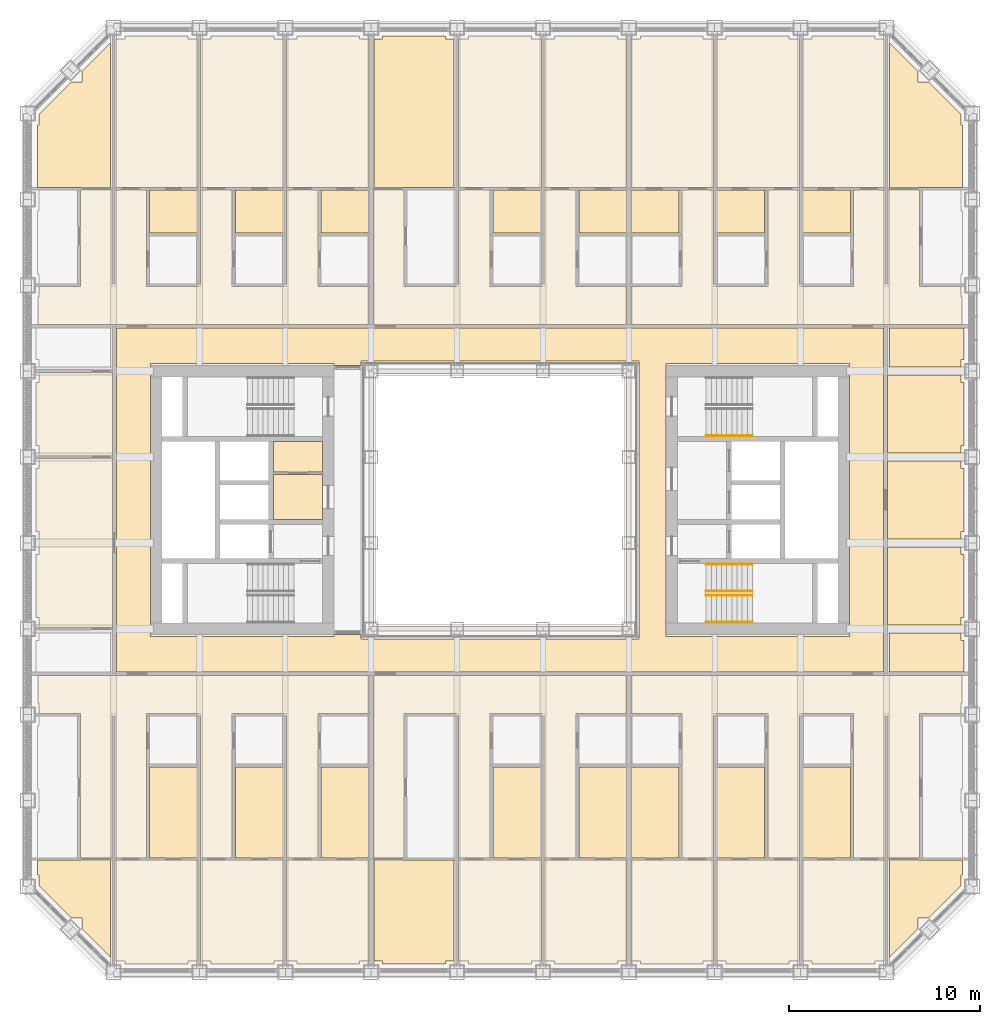
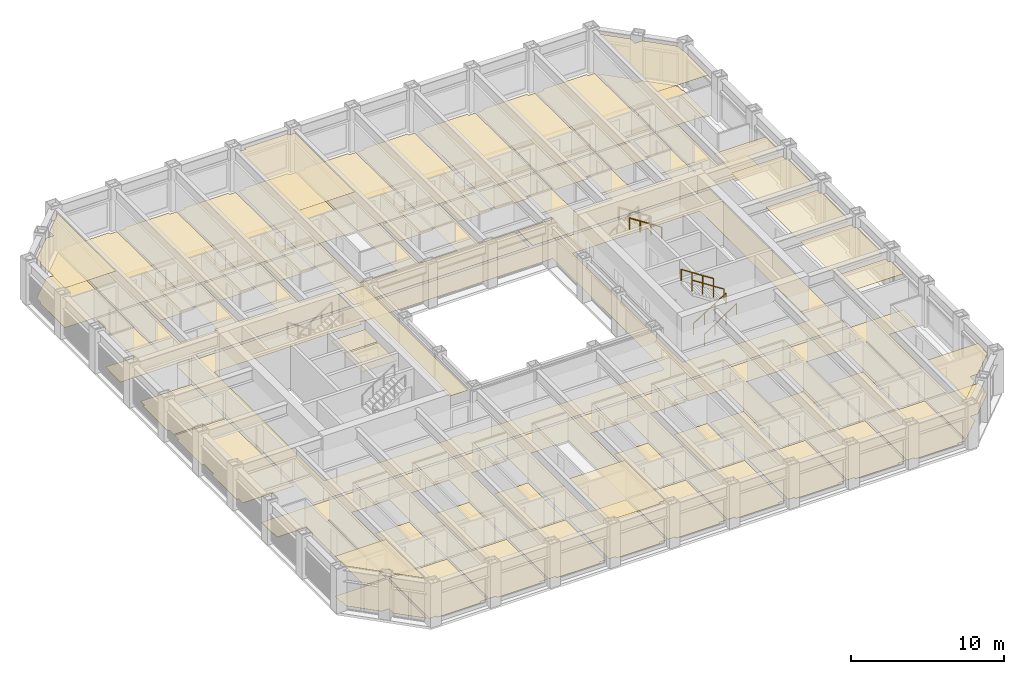
# One storey, part 20 of 21: 5 railings, 4 coverings.
"""IFC4 building model written with IfcOpenShell, lengths in metres."""

from ifc_helpers import new_model, si_unit, direction, frame, origin, origin_2d, place, context, subcontext, project, spatial, line, indexed_curve, circle, outline, extrude, material, layer, layer_set, type_object, element, save


model = new_model("IFC4")

# Units and contexts
model_context = context("Model", 3, precision=1e-05, world=origin(), true_north=direction((0.0, 1.0)))
body_context = subcontext(model_context, "Body", "Model", "MODEL_VIEW")
ifc_project = project(units=[si_unit("LENGTHUNIT", "METRE"), si_unit("AREAUNIT", "SQUARE_METRE"), si_unit("VOLUMEUNIT", "CUBIC_METRE"), si_unit("PLANEANGLEUNIT", "RADIAN"), si_unit("MASSUNIT", "GRAM", prefix="KILO")], contexts=[model_context])

# Site, building, storey
site_placement = place(None, origin())
site = spatial("IfcSite", under=ifc_project, at=site_placement, CompositionType="ELEMENT")
building_placement = place(site_placement, origin())
building = spatial("IfcBuilding", under=site, at=building_placement, Name="Msasa Ring Tower", CompositionType="ELEMENT")
storey_placement = place(building_placement, frame((0.0, 0.0, 93.0)))
storey = spatial("IfcBuildingStorey", under=building, at=storey_placement, Name="L24", CompositionType="ELEMENT", Elevation=93.0)

# Coverings
ifc_material_1 = material(Name="Gypsum plasterboard on a steel suspension grid", Category="steel")
ifc_layer_1 = layer(ifc_material_1, 0.014892578125)
ifc_layer_set_1 = layer_set([ifc_layer_1], Name="C1 SUSPENDED PLASTERBOARD CEILING 15")
covering_type_1 = type_object("IfcCoveringType", Name="C1 SUSPENDED PLASTERBOARD CEILING 15", PredefinedType="CEILING", material=ifc_layer_set_1)
covering_1_placement = place(storey_placement, frame((0.0, 0.0, 3.175048828125)))
element("IfcCovering", 1, at=covering_1_placement, inside=storey, type_object=covering_type_1, Name="Suspended Plasterboard Ceiling 15 public rooms L24", PredefinedType="CEILING", context=body_context, shape_type="SweptSolid", body=[
    extrude(outline(indexed_curve([(-24.23193359375, -18.867919921875), (-20.404296875, -18.867919921875), (-20.404296875, -23.95849609375), (-21.8994140625, -22.46337890625), (-21.8994140625, -21.8994140625), (-22.46337890625, -21.8994140625), (-24.1494140625, -20.21337890625), (-24.1494140625, -19.6494140625), (-24.23193359375, -19.6494140625)], segments=[line(1, 2, 3, 4, 5, 6, 7, 8, 9, 1)], self_intersect=False)), origin(), (0.0, 0.0, 1.0), 0.014892578125),
    extrude(outline(indexed_curve([(-24.23193359375, 16.367919921875), (-24.23193359375, 19.6494140625), (-24.1494140625, 19.6494140625), (-24.1494140625, 20.21337890625), (-22.46337890625, 21.8994140625), (-21.8994140625, 21.8994140625), (-21.8994140625, 22.46337890625), (-20.404296875, 23.95849609375), (-20.404296875, 16.367919921875)], segments=[line(1, 2, 3, 4, 5, 6, 7, 8, 9, 1)], self_intersect=False)), origin(), (0.0, 0.0, 1.0), 0.014892578125),
    extrude(outline(indexed_curve([(-8.699462890625, -6.849609375), (-8.699462890625, 6.849609375), (-7.280029296875, 6.849609375), (-7.280029296875, -6.849609375)], segments=[line(1, 2, 3, 4, 1)], self_intersect=False)), origin(), (0.0, 0.0, 1.0), 0.014892578125),
    extrude(outline(indexed_curve([(-6.1494140625, -24.299560546875), (-6.1494140625, -24.1494140625), (-6.595703125, -24.1494140625), (-6.595703125, -18.867919921875), (-2.404296875, -18.867919921875), (-2.404296875, -24.1494140625), (-2.8505859375, -24.1494140625), (-2.8505859375, -24.299560546875)], segments=[line(1, 2, 3, 4, 5, 6, 7, 8, 1)], self_intersect=False)), origin(), (0.0, 0.0, 1.0), 0.014892578125),
    extrude(outline(indexed_curve([(-6.595703125, 16.367919921875), (-6.595703125, 24.1494140625), (-6.1494140625, 24.1494140625), (-6.1494140625, 24.299560546875), (-2.8505859375, 24.299560546875), (-2.8505859375, 24.1494140625), (-2.404296875, 24.1494140625), (-2.404296875, 16.367919921875)], segments=[line(1, 2, 3, 4, 5, 6, 7, 8, 1)], self_intersect=False)), origin(), (0.0, 0.0, 1.0), 0.014892578125),
    extrude(outline(indexed_curve([(24.23193359375, -18.867919921875), (24.23193359375, -19.6494140625), (24.1494140625, -19.6494140625), (24.1494140625, -20.21337890625), (22.46337890625, -21.8994140625), (21.8994140625, -21.8994140625), (21.8994140625, -22.46337890625), (20.404296875, -23.95849609375), (20.404296875, -18.867919921875)], segments=[line(1, 2, 3, 4, 5, 6, 7, 8, 9, 1)], self_intersect=False)), origin(), (0.0, 0.0, 1.0), 0.014892578125),
    extrude(outline(indexed_curve([(24.23193359375, 16.367919921875), (20.404296875, 16.367919921875), (20.404296875, 23.95849609375), (21.8994140625, 22.46337890625), (21.8994140625, 21.8994140625), (22.46337890625, 21.8994140625), (24.1494140625, 20.21337890625), (24.1494140625, 19.6494140625), (24.23193359375, 19.6494140625)], segments=[line(1, 2, 3, 4, 5, 6, 7, 8, 9, 1)], self_intersect=False)), origin(), (0.0, 0.0, 1.0), 0.014892578125),
])
ifc_material_2 = material(Name="Mineral fibre ceiling tiles on an exposed steel grid", Category="steel")
ifc_layer_2 = layer(ifc_material_2, 0.02001953125)
ifc_layer_set_2 = layer_set([ifc_layer_2], Name="C3 ACOUSTIC MINERAL FIBRE TILE CEILING 20")
covering_type_2 = type_object("IfcCoveringType", Name="C3 ACOUSTIC MINERAL FIBRE TILE CEILING 20", PredefinedType="CEILING", material=ifc_layer_set_2)
covering_2_placement = place(storey_placement, frame((0.0, 0.0, 2.699951171875)))
element("IfcCovering", 2, at=covering_2_placement, inside=storey, type_object=covering_type_2, Name="Acoustic Mineral Fibre Tile Ceiling 20 L24", PredefinedType="CEILING", context=body_context, shape_type="SweptSolid", body=[
    extrude(outline(indexed_curve([(-9.300537109375, -1.0244140625), (-11.87451171875, -1.0244140625), (-11.87451171875, 1.344482421875), (-9.300537109375, 1.344482421875)], segments=[line(1, 2, 3, 4, 1)], self_intersect=False)), origin(), (0.0, 0.0, 1.0), 0.02001953125),
    extrude(outline(indexed_curve([(-9.300537109375, 1.45556640625), (-11.87451171875, 1.45556640625), (-11.87451171875, 3.074462890625), (-9.300537109375, 3.074462890625)], segments=[line(1, 2, 3, 4, 1)], self_intersect=False)), origin(), (0.0, 0.0, 1.0), 0.02001953125),
    extrude(outline(indexed_curve([(20.300537109375, -2.460693359375), (24.1494140625, -2.460693359375), (24.1494140625, -2.8505859375), (24.299560546875, -2.8505859375), (24.299560546875, -6.1494140625), (24.1494140625, -6.1494140625), (24.1494140625, -6.539306640625), (20.300537109375, -6.539306640625)], segments=[line(1, 2, 3, 4, 5, 6, 7, 8, 1)], self_intersect=False)), origin(), (0.0, 0.0, 1.0), 0.02001953125),
    extrude(outline(indexed_curve([(20.300537109375, 2.039306640625), (24.1494140625, 2.039306640625), (24.1494140625, 1.6494140625), (24.299560546875, 1.6494140625), (24.299560546875, -1.6494140625), (24.1494140625, -1.6494140625), (24.1494140625, -2.039306640625), (20.300537109375, -2.039306640625)], segments=[line(1, 2, 3, 4, 5, 6, 7, 8, 1)], self_intersect=False)), origin(), (0.0, 0.0, 1.0), 0.02001953125),
    extrude(outline(indexed_curve([(20.300537109375, 6.539306640625), (24.1494140625, 6.539306640625), (24.1494140625, 6.1494140625), (24.299560546875, 6.1494140625), (24.299560546875, 2.8505859375), (24.1494140625, 2.8505859375), (24.1494140625, 2.460693359375), (20.300537109375, 2.460693359375)], segments=[line(1, 2, 3, 4, 5, 6, 7, 8, 1)], self_intersect=False)), origin(), (0.0, 0.0, 1.0), 0.02001953125),
    extrude(outline(indexed_curve([(24.299560546875, -8.99951171875), (20.404296875, -8.99951171875), (20.404296875, -6.960693359375), (24.1494140625, -6.960693359375), (24.1494140625, -7.3505859375), (24.299560546875, -7.3505859375)], segments=[line(1, 2, 3, 4, 5, 6, 1)], self_intersect=False)), origin(), (0.0, 0.0, 1.0), 0.02001953125),
    extrude(outline(indexed_curve([(24.299560546875, 8.99951171875), (24.299560546875, 7.3505859375), (24.1494140625, 7.3505859375), (24.1494140625, 6.960693359375), (20.404296875, 6.960693359375), (20.404296875, 8.99951171875)], segments=[line(1, 2, 3, 4, 5, 6, 1)], self_intersect=False)), origin(), (0.0, 0.0, 1.0), 0.02001953125),
])
ifc_material_3 = material(Name="Wool-blend carpet on felt underlay", Category="textile")
ifc_layer_3 = layer(ifc_material_3, 0.011962890625)
ifc_layer_set_3 = layer_set([ifc_layer_3], Name="F2 CARPET ON UNDERLAY 12")
covering_type_3 = type_object("IfcCoveringType", Name="F2 CARPET ON UNDERLAY 12", PredefinedType="FLOORING", material=ifc_layer_set_3)
covering_3_placement = place(storey_placement, origin())
element("IfcCovering", 3, at=covering_3_placement, inside=storey, type_object=covering_type_3, Name="Carpet On Underlay 12 L24", PredefinedType="FLOORING", context=body_context, shape_type="SweptSolid", body=[
    extrude(outline(indexed_curve([(-20.318115234375, -24.044921875), (-21.8994140625, -22.46337890625), (-21.8994140625, -21.8994140625), (-22.46337890625, -21.8994140625), (-24.1494140625, -20.21337890625), (-24.1494140625, -19.6494140625), (-24.23193359375, -19.6494140625), (-24.23193359375, -18.87548828125), (-20.318115234375, -18.87548828125)], segments=[line(1, 2, 3, 4, 5, 6, 7, 8, 9, 1)], self_intersect=False)), origin(), (0.0, 0.0, 1.0), 0.011962890625),
    extrude(outline(indexed_curve([(-22.46337890625, 21.8994140625), (-21.8994140625, 21.8994140625), (-21.8994140625, 22.46337890625), (-20.318115234375, 24.044921875), (-20.318115234375, 16.37548828125), (-24.23193359375, 16.37548828125), (-24.23193359375, 19.6494140625), (-24.1494140625, 19.6494140625), (-24.1494140625, 20.21337890625)], segments=[line(1, 2, 3, 4, 5, 6, 7, 8, 9, 1)], self_intersect=False)), origin(), (0.0, 0.0, 1.0), 0.011962890625),
    extrude(outline(indexed_curve([(-20.099609375, -8.99951171875), (-20.099609375, 8.99951171875), (20.099609375, 8.99951171875), (20.099609375, -8.99951171875)], segments=[line(1, 2, 3, 4, 1)], self_intersect=False), holes=[indexed_curve([(8.699462890625, -7.150390625), (18.300537109375, -7.150390625), (18.300537109375, 7.150390625), (8.699462890625, 7.150390625)], segments=[line(1, 2, 3, 4, 1)], self_intersect=False), indexed_curve([(-8.699462890625, 7.150390625), (-18.300537109375, 7.150390625), (-18.300537109375, -7.150390625), (-8.699462890625, -7.150390625), (-8.699462890625, -7.050537109375), (-7.280029296875, -7.050537109375), (-7.275390625, -7.275390625), (-7.22998046875, -7.280029296875), (7.275390625, -7.275390625), (7.275390625, 7.275390625), (-7.22998046875, 7.280029296875), (-7.275390625, 7.275390625), (-7.280029296875, 7.050537109375), (-8.699462890625, 7.050537109375)], segments=[line(1, 2, 3, 4, 5, 6, 7, 8, 9, 10, 11, 12, 13, 14, 1)], self_intersect=False)]), origin(), (0.0, 0.0, 1.0), 0.011962890625),
    extrude(outline(indexed_curve([(-15.818115234375, -13.992919921875), (-15.818115234375, -18.74951171875), (-18.369384765625, -18.74951171875), (-18.369384765625, -13.992919921875)], segments=[line(1, 2, 3, 4, 1)], self_intersect=False)), origin(), (0.0, 0.0, 1.0), 0.011962890625),
    extrude(outline(indexed_curve([(-15.818115234375, 13.992919921875), (-18.369384765625, 13.992919921875), (-18.369384765625, 16.24951171875), (-15.818115234375, 16.24951171875)], segments=[line(1, 2, 3, 4, 1)], self_intersect=False)), origin(), (0.0, 0.0, 1.0), 0.011962890625),
    extrude(outline(indexed_curve([(-11.318115234375, -18.74951171875), (-13.869384765625, -18.74951171875), (-13.869384765625, -13.992919921875), (-11.318115234375, -13.992919921875)], segments=[line(1, 2, 3, 4, 1)], self_intersect=False)), origin(), (0.0, 0.0, 1.0), 0.011962890625),
    extrude(outline(indexed_curve([(-11.318115234375, 13.992919921875), (-13.869384765625, 13.992919921875), (-13.869384765625, 16.24951171875), (-11.318115234375, 16.24951171875)], segments=[line(1, 2, 3, 4, 1)], self_intersect=False)), origin(), (0.0, 0.0, 1.0), 0.011962890625),
    extrude(outline(indexed_curve([(-9.369384765625, -13.992919921875), (-6.87548828125, -13.992919921875), (-6.87548828125, -18.74951171875), (-9.369384765625, -18.74951171875)], segments=[line(1, 2, 3, 4, 1)], self_intersect=False)), origin(), (0.0, 0.0, 1.0), 0.011962890625),
    extrude(outline(indexed_curve([(-9.369384765625, 13.992919921875), (-9.369384765625, 16.24951171875), (-6.87548828125, 16.24951171875), (-6.87548828125, 13.992919921875)], segments=[line(1, 2, 3, 4, 1)], self_intersect=False)), origin(), (0.0, 0.0, 1.0), 0.011962890625),
    extrude(outline(indexed_curve([(-2.318115234375, -24.1494140625), (-2.8505859375, -24.1494140625), (-2.8505859375, -24.299560546875), (-6.1494140625, -24.299560546875), (-6.1494140625, -24.1494140625), (-6.62451171875, -24.1494140625), (-6.62451171875, -18.87548828125), (-2.318115234375, -18.87548828125)], segments=[line(1, 2, 3, 4, 5, 6, 7, 8, 1)], self_intersect=False)), origin(), (0.0, 0.0, 1.0), 0.011962890625),
    extrude(outline(indexed_curve([(-2.8505859375, 24.299560546875), (-2.8505859375, 24.1494140625), (-2.318115234375, 24.1494140625), (-2.318115234375, 16.37548828125), (-6.62451171875, 16.37548828125), (-6.62451171875, 24.1494140625), (-6.1494140625, 24.1494140625), (-6.1494140625, 24.299560546875)], segments=[line(1, 2, 3, 4, 5, 6, 7, 8, 1)], self_intersect=False)), origin(), (0.0, 0.0, 1.0), 0.011962890625),
    extrude(outline(indexed_curve([(2.181884765625, -18.74951171875), (-0.369384765625, -18.74951171875), (-0.369384765625, -13.992919921875), (2.181884765625, -13.992919921875)], segments=[line(1, 2, 3, 4, 1)], self_intersect=False)), origin(), (0.0, 0.0, 1.0), 0.011962890625),
    extrude(outline(indexed_curve([(2.181884765625, 13.992919921875), (-0.369384765625, 13.992919921875), (-0.369384765625, 16.24951171875), (2.181884765625, 16.24951171875)], segments=[line(1, 2, 3, 4, 1)], self_intersect=False)), origin(), (0.0, 0.0, 1.0), 0.011962890625),
    extrude(outline(indexed_curve([(6.62451171875, -13.992919921875), (6.62451171875, -18.74951171875), (4.130615234375, -18.74951171875), (4.130615234375, -13.992919921875)], segments=[line(1, 2, 3, 4, 1)], self_intersect=False)), origin(), (0.0, 0.0, 1.0), 0.011962890625),
    extrude(outline(indexed_curve([(4.130615234375, 13.992919921875), (4.130615234375, 16.24951171875), (6.62451171875, 16.24951171875), (6.62451171875, 13.992919921875)], segments=[line(1, 2, 3, 4, 1)], self_intersect=False)), origin(), (0.0, 0.0, 1.0), 0.011962890625),
    extrude(outline(indexed_curve([(9.369384765625, -18.74951171875), (6.87548828125, -18.74951171875), (6.87548828125, -13.992919921875), (9.369384765625, -13.992919921875)], segments=[line(1, 2, 3, 4, 1)], self_intersect=False)), origin(), (0.0, 0.0, 1.0), 0.011962890625),
    extrude(outline(indexed_curve([(9.369384765625, 13.992919921875), (6.87548828125, 13.992919921875), (6.87548828125, 16.24951171875), (9.369384765625, 16.24951171875)], segments=[line(1, 2, 3, 4, 1)], self_intersect=False)), origin(), (0.0, 0.0, 1.0), 0.011962890625),
    extrude(outline(indexed_curve([(13.869384765625, -18.74951171875), (11.318115234375, -18.74951171875), (11.318115234375, -13.992919921875), (13.869384765625, -13.992919921875)], segments=[line(1, 2, 3, 4, 1)], self_intersect=False)), origin(), (0.0, 0.0, 1.0), 0.011962890625),
    extrude(outline(indexed_curve([(13.869384765625, 13.992919921875), (11.318115234375, 13.992919921875), (11.318115234375, 16.24951171875), (13.869384765625, 16.24951171875)], segments=[line(1, 2, 3, 4, 1)], self_intersect=False)), origin(), (0.0, 0.0, 1.0), 0.011962890625),
    extrude(outline(indexed_curve([(18.369384765625, -13.992919921875), (18.369384765625, -18.74951171875), (15.818115234375, -18.74951171875), (15.818115234375, -13.992919921875)], segments=[line(1, 2, 3, 4, 1)], self_intersect=False)), origin(), (0.0, 0.0, 1.0), 0.011962890625),
    extrude(outline(indexed_curve([(18.369384765625, 13.992919921875), (15.818115234375, 13.992919921875), (15.818115234375, 16.24951171875), (18.369384765625, 16.24951171875)], segments=[line(1, 2, 3, 4, 1)], self_intersect=False)), origin(), (0.0, 0.0, 1.0), 0.011962890625),
    extrude(outline(indexed_curve([(22.46337890625, -21.8994140625), (21.8994140625, -21.8994140625), (21.8994140625, -22.46337890625), (20.318115234375, -24.044921875), (20.318115234375, -18.87548828125), (24.23193359375, -18.87548828125), (24.23193359375, -19.6494140625), (24.1494140625, -19.6494140625), (24.1494140625, -20.21337890625)], segments=[line(1, 2, 3, 4, 5, 6, 7, 8, 9, 1)], self_intersect=False)), origin(), (0.0, 0.0, 1.0), 0.011962890625),
    extrude(outline(indexed_curve([(21.8994140625, 22.46337890625), (21.8994140625, 21.8994140625), (22.46337890625, 21.8994140625), (24.1494140625, 20.21337890625), (24.1494140625, 19.6494140625), (24.23193359375, 19.6494140625), (24.23193359375, 16.37548828125), (20.318115234375, 16.37548828125), (20.318115234375, 24.044921875)], segments=[line(1, 2, 3, 4, 5, 6, 7, 8, 9, 1)], self_intersect=False)), origin(), (0.0, 0.0, 1.0), 0.011962890625),
])
ifc_material_4 = material(Name="Engineered oak boards on an acoustic underlay", Category="wood")
ifc_layer_4 = layer(ifc_material_4, 0.01806640625)
ifc_layer_set_4 = layer_set([ifc_layer_4], Name="F3 ENGINEERED TIMBER ON ACOUSTIC UNDERLAY 18")
covering_type_4 = type_object("IfcCoveringType", Name="F3 ENGINEERED TIMBER ON ACOUSTIC UNDERLAY 18", PredefinedType="FLOORING", material=ifc_layer_set_4)
covering_4_placement = place(storey_placement, origin())
element("IfcCovering", 4, at=covering_4_placement, inside=storey, type_object=covering_type_4, Name="Engineered Timber On Acoustic Underlay 18 L24", PredefinedType="FLOORING", context=body_context, shape_type="SweptSolid", body=[
    extrude(outline(indexed_curve([(-24.299560546875, -2.8505859375), (-24.1494140625, -2.8505859375), (-24.1494140625, -1.6494140625), (-24.299560546875, -1.6494140625), (-24.299560546875, 1.6494140625), (-24.1494140625, 1.6494140625), (-24.1494140625, 2.194580078125), (-20.300537109375, 2.194580078125), (-20.300537109375, -6.694580078125), (-24.1494140625, -6.694580078125), (-24.1494140625, -6.1494140625), (-24.299560546875, -6.1494140625)], segments=[line(1, 2, 3, 4, 5, 6, 7, 8, 9, 10, 11, 12, 1)], self_intersect=False)), origin(), (0.0, 0.0, 1.0), 0.01806640625),
    extrude(outline(indexed_curve([(-24.1494140625, 2.305419921875), (-24.1494140625, 2.8505859375), (-24.299560546875, 2.8505859375), (-24.299560546875, 6.1494140625), (-24.1494140625, 6.1494140625), (-24.1494140625, 6.66943359375), (-20.300537109375, 6.66943359375), (-20.300537109375, 2.305419921875)], segments=[line(1, 2, 3, 4, 5, 6, 7, 8, 1)], self_intersect=False)), origin(), (0.0, 0.0, 1.0), 0.01806640625),
    extrude(outline(indexed_curve([(-15.681884765625, -11.18701171875), (-18.530517578125, -11.18701171875), (-18.530517578125, -18.74951171875), (-20.181884765625, -18.74951171875), (-20.181884765625, -11.18701171875), (-20.318115234375, -11.18701171875), (-20.318115234375, -18.74951171875), (-21.969482421875, -18.74951171875), (-21.969482421875, -11.18701171875), (-24.1494140625, -11.18701171875), (-24.1494140625, -10.6494140625), (-24.199462890625, -10.6494140625), (-24.199462890625, -9.200439453125), (-6.87548828125, -9.200439453125), (-6.87548828125, -11.18701171875), (-9.530517578125, -11.18701171875), (-9.530517578125, -18.74951171875), (-11.181884765625, -18.74951171875), (-11.181884765625, -11.18701171875), (-14.030517578125, -11.18701171875), (-14.030517578125, -18.74951171875), (-15.681884765625, -18.74951171875)], segments=[line(1, 2, 3, 4, 5, 6, 7, 8, 9, 10, 11, 12, 13, 14, 15, 16, 17, 18, 19, 20, 21, 22, 1)], self_intersect=False)), origin(), (0.0, 0.0, 1.0), 0.01806640625),
    extrude(outline(indexed_curve([(-18.530517578125, 11.18701171875), (-15.681884765625, 11.18701171875), (-15.681884765625, 16.24951171875), (-14.030517578125, 16.24951171875), (-14.030517578125, 11.18701171875), (-11.181884765625, 11.18701171875), (-11.181884765625, 16.24951171875), (-9.530517578125, 16.24951171875), (-9.530517578125, 11.18701171875), (-6.87548828125, 11.18701171875), (-6.87548828125, 9.200439453125), (-24.199462890625, 9.200439453125), (-24.199462890625, 10.6494140625), (-24.1494140625, 10.6494140625), (-24.1494140625, 11.18701171875), (-21.969482421875, 11.18701171875), (-21.969482421875, 16.24951171875), (-20.318115234375, 16.24951171875), (-20.318115234375, 11.18701171875), (-20.181884765625, 11.18701171875), (-20.181884765625, 16.24951171875), (-18.530517578125, 16.24951171875)], segments=[line(1, 2, 3, 4, 5, 6, 7, 8, 9, 10, 11, 12, 13, 14, 15, 16, 17, 18, 19, 20, 21, 22, 1)], self_intersect=False)), origin(), (0.0, 0.0, 1.0), 0.01806640625),
    extrude(outline(indexed_curve([(-15.818115234375, -24.1494140625), (-16.3505859375, -24.1494140625), (-16.3505859375, -24.299560546875), (-19.6494140625, -24.299560546875), (-19.6494140625, -24.1494140625), (-20.181884765625, -24.1494140625), (-20.181884765625, -18.87548828125), (-15.818115234375, -18.87548828125)], segments=[line(1, 2, 3, 4, 5, 6, 7, 8, 1)], self_intersect=False)), origin(), (0.0, 0.0, 1.0), 0.01806640625),
    extrude(outline(indexed_curve([(-20.181884765625, 24.1494140625), (-19.6494140625, 24.1494140625), (-19.6494140625, 24.299560546875), (-16.3505859375, 24.299560546875), (-16.3505859375, 24.1494140625), (-15.818115234375, 24.1494140625), (-15.818115234375, 16.37548828125), (-20.181884765625, 16.37548828125)], segments=[line(1, 2, 3, 4, 5, 6, 7, 8, 1)], self_intersect=False)), origin(), (0.0, 0.0, 1.0), 0.01806640625),
    extrude(outline(indexed_curve([(-15.1494140625, -24.299560546875), (-15.1494140625, -24.1494140625), (-15.681884765625, -24.1494140625), (-15.681884765625, -18.87548828125), (-11.318115234375, -18.87548828125), (-11.318115234375, -24.1494140625), (-11.8505859375, -24.1494140625), (-11.8505859375, -24.299560546875)], segments=[line(1, 2, 3, 4, 5, 6, 7, 8, 1)], self_intersect=False)), origin(), (0.0, 0.0, 1.0), 0.01806640625),
    extrude(outline(indexed_curve([(-11.8505859375, 24.299560546875), (-11.8505859375, 24.1494140625), (-11.318115234375, 24.1494140625), (-11.318115234375, 16.37548828125), (-15.681884765625, 16.37548828125), (-15.681884765625, 24.1494140625), (-15.1494140625, 24.1494140625), (-15.1494140625, 24.299560546875)], segments=[line(1, 2, 3, 4, 5, 6, 7, 8, 1)], self_intersect=False)), origin(), (0.0, 0.0, 1.0), 0.01806640625),
    extrude(outline(indexed_curve([(-10.6494140625, -24.299560546875), (-10.6494140625, -24.1494140625), (-11.181884765625, -24.1494140625), (-11.181884765625, -18.87548828125), (-6.87548828125, -18.87548828125), (-6.87548828125, -24.1494140625), (-7.3505859375, -24.1494140625), (-7.3505859375, -24.299560546875)], segments=[line(1, 2, 3, 4, 5, 6, 7, 8, 1)], self_intersect=False)), origin(), (0.0, 0.0, 1.0), 0.01806640625),
    extrude(outline(indexed_curve([(-7.3505859375, 24.299560546875), (-7.3505859375, 24.1494140625), (-6.87548828125, 24.1494140625), (-6.87548828125, 16.37548828125), (-11.181884765625, 16.37548828125), (-11.181884765625, 24.1494140625), (-10.6494140625, 24.1494140625), (-10.6494140625, 24.299560546875)], segments=[line(1, 2, 3, 4, 5, 6, 7, 8, 1)], self_intersect=False)), origin(), (0.0, 0.0, 1.0), 0.01806640625),
    extrude(outline(indexed_curve([(-2.181884765625, -11.18701171875), (-5.030517578125, -11.18701171875), (-5.030517578125, -18.74951171875), (-6.62451171875, -18.74951171875), (-6.62451171875, -9.200439453125), (6.62451171875, -9.200439453125), (6.62451171875, -11.18701171875), (3.969482421875, -11.18701171875), (3.969482421875, -18.74951171875), (2.318115234375, -18.74951171875), (2.318115234375, -11.18701171875), (-0.530517578125, -11.18701171875), (-0.530517578125, -18.74951171875), (-2.181884765625, -18.74951171875)], segments=[line(1, 2, 3, 4, 5, 6, 7, 8, 9, 10, 11, 12, 13, 14, 1)], self_intersect=False)), origin(), (0.0, 0.0, 1.0), 0.01806640625),
    extrude(outline(indexed_curve([(-0.530517578125, 11.18701171875), (2.318115234375, 11.18701171875), (2.318115234375, 16.24951171875), (3.969482421875, 16.24951171875), (3.969482421875, 11.18701171875), (6.62451171875, 11.18701171875), (6.62451171875, 9.200439453125), (-6.62451171875, 9.200439453125), (-6.62451171875, 16.24951171875), (-5.030517578125, 16.24951171875), (-5.030517578125, 11.18701171875), (-2.181884765625, 11.18701171875), (-2.181884765625, 16.24951171875), (-0.530517578125, 16.24951171875)], segments=[line(1, 2, 3, 4, 5, 6, 7, 8, 9, 10, 11, 12, 13, 14, 1)], self_intersect=False)), origin(), (0.0, 0.0, 1.0), 0.01806640625),
    extrude(outline(indexed_curve([(2.181884765625, -24.1494140625), (1.6494140625, -24.1494140625), (1.6494140625, -24.299560546875), (-1.6494140625, -24.299560546875), (-1.6494140625, -24.1494140625), (-2.181884765625, -24.1494140625), (-2.181884765625, -18.87548828125), (2.181884765625, -18.87548828125)], segments=[line(1, 2, 3, 4, 5, 6, 7, 8, 1)], self_intersect=False)), origin(), (0.0, 0.0, 1.0), 0.01806640625),
    extrude(outline(indexed_curve([(1.6494140625, 24.299560546875), (1.6494140625, 24.1494140625), (2.181884765625, 24.1494140625), (2.181884765625, 16.37548828125), (-2.181884765625, 16.37548828125), (-2.181884765625, 24.1494140625), (-1.6494140625, 24.1494140625), (-1.6494140625, 24.299560546875)], segments=[line(1, 2, 3, 4, 5, 6, 7, 8, 1)], self_intersect=False)), origin(), (0.0, 0.0, 1.0), 0.01806640625),
    extrude(outline(indexed_curve([(2.8505859375, -24.299560546875), (2.8505859375, -24.1494140625), (2.318115234375, -24.1494140625), (2.318115234375, -18.87548828125), (6.62451171875, -18.87548828125), (6.62451171875, -24.1494140625), (6.1494140625, -24.1494140625), (6.1494140625, -24.299560546875)], segments=[line(1, 2, 3, 4, 5, 6, 7, 8, 1)], self_intersect=False)), origin(), (0.0, 0.0, 1.0), 0.01806640625),
    extrude(outline(indexed_curve([(6.1494140625, 24.299560546875), (6.1494140625, 24.1494140625), (6.62451171875, 24.1494140625), (6.62451171875, 16.37548828125), (2.318115234375, 16.37548828125), (2.318115234375, 24.1494140625), (2.8505859375, 24.1494140625), (2.8505859375, 24.299560546875)], segments=[line(1, 2, 3, 4, 5, 6, 7, 8, 1)], self_intersect=False)), origin(), (0.0, 0.0, 1.0), 0.01806640625),
    extrude(outline(indexed_curve([(7.3505859375, -24.299560546875), (7.3505859375, -24.1494140625), (6.87548828125, -24.1494140625), (6.87548828125, -18.87548828125), (11.181884765625, -18.87548828125), (11.181884765625, -24.1494140625), (10.6494140625, -24.1494140625), (10.6494140625, -24.299560546875)], segments=[line(1, 2, 3, 4, 5, 6, 7, 8, 1)], self_intersect=False)), origin(), (0.0, 0.0, 1.0), 0.01806640625),
    extrude(outline(indexed_curve([(18.530517578125, -11.18701171875), (15.681884765625, -11.18701171875), (15.681884765625, -18.74951171875), (14.030517578125, -18.74951171875), (14.030517578125, -11.18701171875), (11.181884765625, -11.18701171875), (11.181884765625, -18.74951171875), (9.530517578125, -18.74951171875), (9.530517578125, -11.18701171875), (6.87548828125, -11.18701171875), (6.87548828125, -9.200439453125), (24.199462890625, -9.200439453125), (24.199462890625, -10.6494140625), (24.1494140625, -10.6494140625), (24.1494140625, -11.18701171875), (21.969482421875, -11.18701171875), (21.969482421875, -18.74951171875), (20.318115234375, -18.74951171875), (20.318115234375, -11.18701171875), (20.181884765625, -11.18701171875), (20.181884765625, -18.74951171875), (18.530517578125, -18.74951171875)], segments=[line(1, 2, 3, 4, 5, 6, 7, 8, 9, 10, 11, 12, 13, 14, 15, 16, 17, 18, 19, 20, 21, 22, 1)], self_intersect=False)), origin(), (0.0, 0.0, 1.0), 0.01806640625),
    extrude(outline(indexed_curve([(15.681884765625, 11.18701171875), (18.530517578125, 11.18701171875), (18.530517578125, 16.24951171875), (20.181884765625, 16.24951171875), (20.181884765625, 11.18701171875), (20.318115234375, 11.18701171875), (20.318115234375, 16.24951171875), (21.969482421875, 16.24951171875), (21.969482421875, 11.18701171875), (24.1494140625, 11.18701171875), (24.1494140625, 10.6494140625), (24.199462890625, 10.6494140625), (24.199462890625, 9.200439453125), (6.87548828125, 9.200439453125), (6.87548828125, 11.18701171875), (9.530517578125, 11.18701171875), (9.530517578125, 16.24951171875), (11.181884765625, 16.24951171875), (11.181884765625, 11.18701171875), (14.030517578125, 11.18701171875), (14.030517578125, 16.24951171875), (15.681884765625, 16.24951171875)], segments=[line(1, 2, 3, 4, 5, 6, 7, 8, 9, 10, 11, 12, 13, 14, 15, 16, 17, 18, 19, 20, 21, 22, 1)], self_intersect=False)), origin(), (0.0, 0.0, 1.0), 0.01806640625),
    extrude(outline(indexed_curve([(10.6494140625, 24.299560546875), (10.6494140625, 24.1494140625), (11.181884765625, 24.1494140625), (11.181884765625, 16.37548828125), (6.87548828125, 16.37548828125), (6.87548828125, 24.1494140625), (7.3505859375, 24.1494140625), (7.3505859375, 24.299560546875)], segments=[line(1, 2, 3, 4, 5, 6, 7, 8, 1)], self_intersect=False)), origin(), (0.0, 0.0, 1.0), 0.01806640625),
    extrude(outline(indexed_curve([(15.681884765625, -24.1494140625), (15.1494140625, -24.1494140625), (15.1494140625, -24.299560546875), (11.8505859375, -24.299560546875), (11.8505859375, -24.1494140625), (11.318115234375, -24.1494140625), (11.318115234375, -18.87548828125), (15.681884765625, -18.87548828125)], segments=[line(1, 2, 3, 4, 5, 6, 7, 8, 1)], self_intersect=False)), origin(), (0.0, 0.0, 1.0), 0.01806640625),
    extrude(outline(indexed_curve([(15.1494140625, 24.299560546875), (15.1494140625, 24.1494140625), (15.681884765625, 24.1494140625), (15.681884765625, 16.37548828125), (11.318115234375, 16.37548828125), (11.318115234375, 24.1494140625), (11.8505859375, 24.1494140625), (11.8505859375, 24.299560546875)], segments=[line(1, 2, 3, 4, 5, 6, 7, 8, 1)], self_intersect=False)), origin(), (0.0, 0.0, 1.0), 0.01806640625),
    extrude(outline(indexed_curve([(20.181884765625, -24.1494140625), (19.6494140625, -24.1494140625), (19.6494140625, -24.299560546875), (16.3505859375, -24.299560546875), (16.3505859375, -24.1494140625), (15.818115234375, -24.1494140625), (15.818115234375, -18.87548828125), (20.181884765625, -18.87548828125)], segments=[line(1, 2, 3, 4, 5, 6, 7, 8, 1)], self_intersect=False)), origin(), (0.0, 0.0, 1.0), 0.01806640625),
    extrude(outline(indexed_curve([(15.818115234375, 24.1494140625), (16.3505859375, 24.1494140625), (16.3505859375, 24.299560546875), (19.6494140625, 24.299560546875), (19.6494140625, 24.1494140625), (20.181884765625, 24.1494140625), (20.181884765625, 16.37548828125), (15.818115234375, 16.37548828125)], segments=[line(1, 2, 3, 4, 5, 6, 7, 8, 1)], self_intersect=False)), origin(), (0.0, 0.0, 1.0), 0.01806640625),
])

# Railings
ifc_material_5 = material(Name="Stainless steel", Category="steel")
railing_type = type_object("IfcRailingType", Name="HR1 HANDRAIL 900", PredefinedType="HANDRAIL", material=ifc_material_5)
for number, where, name in (
    (5, (10.800048828125, -6.39990234375, 0.175048828125), "Handrail stair SEA L24 1"),
    (6, (10.800048828125, -5.0, 0.175048828125), "Handrail stair SEA L24 2"),
):
    element("IfcRailing", number, at=place(storey_placement, frame(where)), inside=storey, type_object=railing_type, Name=name, PredefinedType="HANDRAIL", context=body_context, shape_type="SweptSolid", body=[
        extrude(circle(Radius=0.02392578125, at=origin_2d()), frame((0.0, 0.0, 0.8759765625), z_axis=(0.839153699163, 0.0, 0.543894354798), x_axis=(0.0, 1.0, 0.0)), (0.0, 0.0, 1.0), 2.895751953125),
        extrude(circle(Radius=0.02099609375, at=origin_2d()), origin(), (0.0, 0.0, 1.0), 0.851806640625),
        extrude(circle(Radius=0.02099609375, at=origin_2d()), frame((0.81005859375, 0.0, 0.52490234375)), (0.0, 0.0, 1.0), 0.851806640625),
        extrude(circle(Radius=0.02099609375, at=origin_2d()), frame((1.619873046875, 0.0, 1.050048828125)), (0.0, 0.0, 1.0), 0.851806640625),
        extrude(circle(Radius=0.02099609375, at=origin_2d()), frame((2.429931640625, 0.0, 1.574951171875)), (0.0, 0.0, 1.0), 0.851806640625),
    ])
for number, where, name in (
    (7, (13.22998046875, -4.77490234375, 1.925048828125), "Handrail stair SEA L24 3"),
    (8, (13.22998046875, -3.375, 1.925048828125), "Handrail stair SEA L24 4"),
    (9, (13.22998046875, 3.375, 1.925048828125), "Handrail stair SEB L24 3"),
):
    element("IfcRailing", number, at=place(storey_placement, frame(where)), inside=storey, type_object=railing_type, Name=name, PredefinedType="HANDRAIL", context=body_context, shape_type="SweptSolid", body=[
        extrude(circle(Radius=0.02392578125, at=origin_2d()), frame((0.0, 0.0, 0.8759765625), z_axis=(-0.839153699163, 0.0, 0.543894354798), x_axis=(0.0, -1.0, 0.0)), (0.0, 0.0, 1.0), 2.895751953125),
        extrude(circle(Radius=0.02099609375, at=origin_2d()), origin(), (0.0, 0.0, 1.0), 0.851806640625),
        extrude(circle(Radius=0.02099609375, at=origin_2d()), frame((-0.81005859375, 0.0, 0.52490234375)), (0.0, 0.0, 1.0), 0.851806640625),
        extrude(circle(Radius=0.02099609375, at=origin_2d()), frame((-1.619873046875, 0.0, 1.050048828125)), (0.0, 0.0, 1.0), 0.851806640625),
        extrude(circle(Radius=0.02099609375, at=origin_2d()), frame((-2.429931640625, 0.0, 1.574951171875)), (0.0, 0.0, 1.0), 0.851806640625),
    ])

save(model, "model.ifc")
